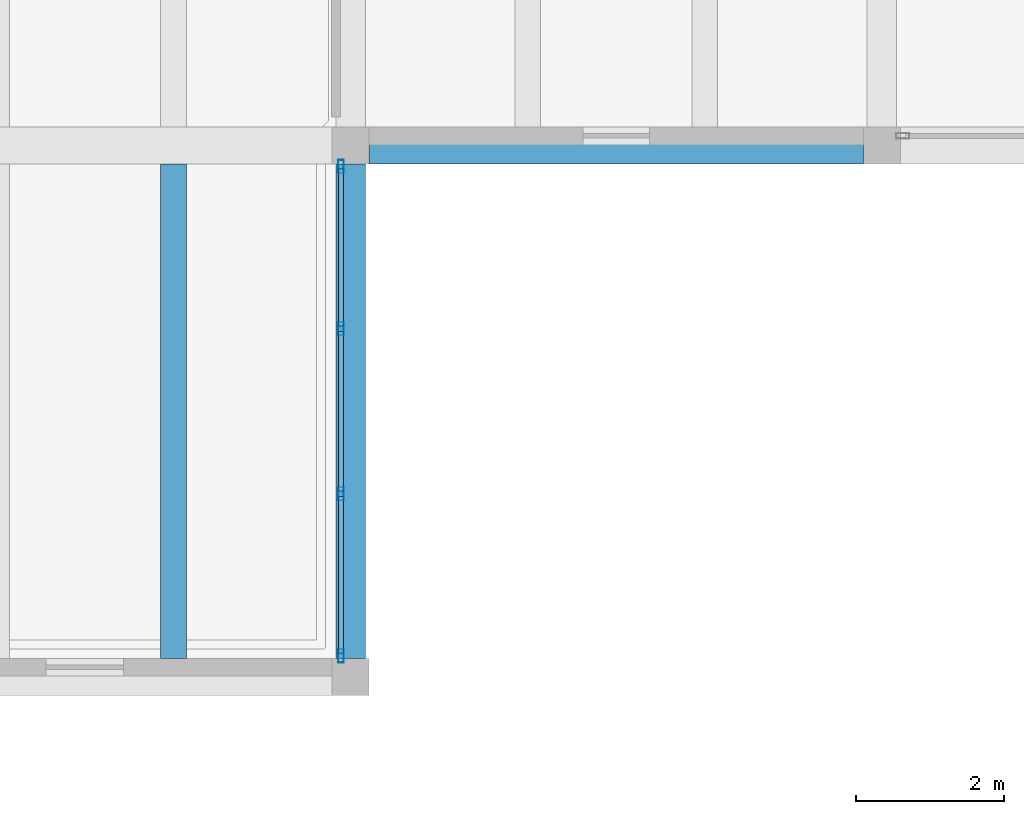
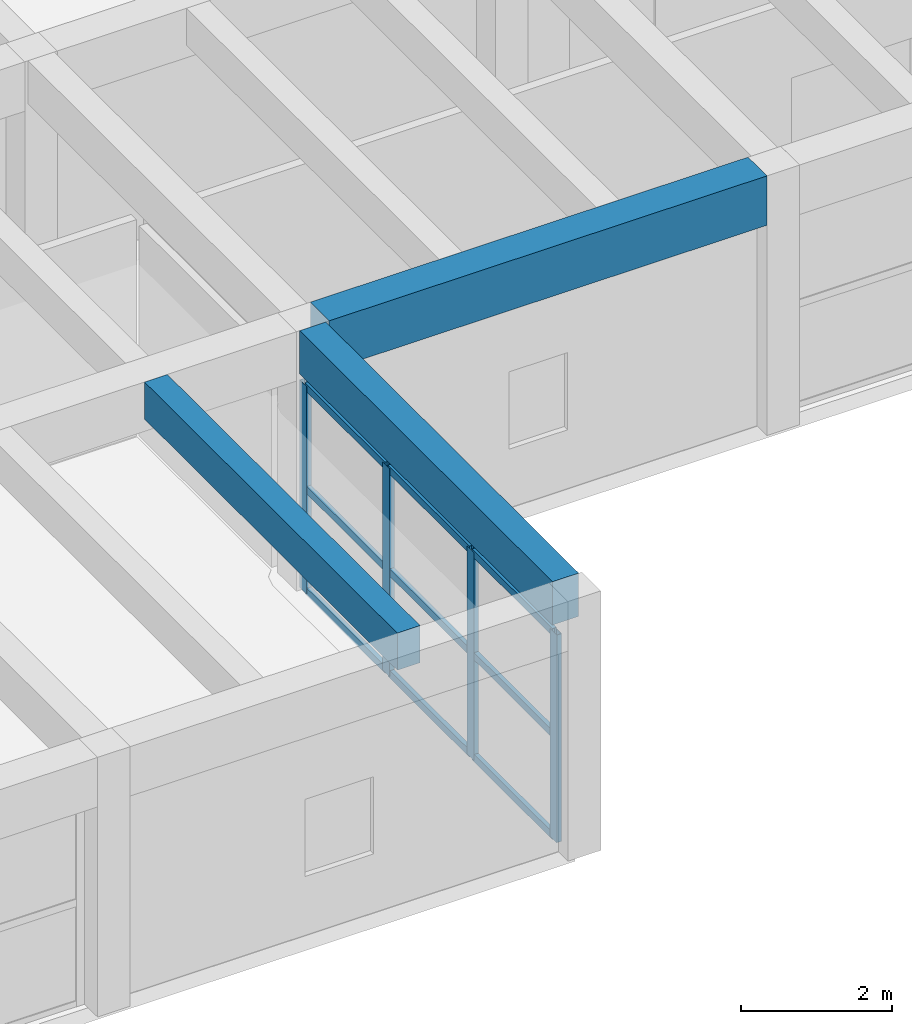
# One storey, part 50 of 153: 13 members, 3 beams, 1 element without a shape of its own.
"""IFC4 building model written with IfcOpenShell, lengths in metres."""

from ifc_helpers import new_model, si_unit, direction, frame, origin, origin_2d, place, context, subcontext, project, spatial, rectangle, hollow_rectangle, extrude, material, material_profile, profile_set, type_object, element, aggregate, save


model = new_model("IFC4")

# Units and contexts
model_context = context("Model", 3, precision=1e-05, world=origin(), true_north=direction((0.0, 1.0)))
body_context = subcontext(model_context, "Body", "Model", "MODEL_VIEW")
ifc_project = project(units=[si_unit("LENGTHUNIT", "METRE"), si_unit("AREAUNIT", "SQUARE_METRE"), si_unit("VOLUMEUNIT", "CUBIC_METRE"), si_unit("PLANEANGLEUNIT", "RADIAN"), si_unit("MASSUNIT", "GRAM", prefix="KILO")], contexts=[model_context])

# Site, building, storey
site_placement = place(None, origin())
site = spatial("IfcSite", under=ifc_project, at=site_placement, CompositionType="ELEMENT")
building_placement = place(site_placement, origin())
building = spatial("IfcBuilding", under=site, at=building_placement, Name="Bramvelor Terrace Health Centre", CompositionType="ELEMENT")
storey_placement = place(building_placement, frame((0.0, 0.0, 4.800048828125)))
storey = spatial("IfcBuildingStorey", under=building, at=storey_placement, Name="L02", CompositionType="ELEMENT", Elevation=4.800048828125)

# Beams
ifc_material_1 = material(Name="Concrete C40/50", Category="concrete")
ifc_material_profile_1 = material_profile(ifc_material_1, rectangle(XDim=0.39990234375, YDim=0.699951171875, at=origin_2d()), Name="RC 400x700")
ifc_profile_set_1 = profile_set([ifc_material_profile_1], Name="Concrete C40/50")
beam_type_1 = type_object("IfcBeamType", Name="BM-RC-G700", PredefinedType="BEAM", material=ifc_profile_set_1)
beam_1_placement = place(storey_placement, frame((115.199951171875, 43.449951171875, 3.849853515625), z_axis=(0.0, 1.0, 0.0), x_axis=(-1.0, 0.0, 0.0)))
element("IfcBeam", 1, at=beam_1_placement, inside=storey, type_object=beam_type_1, Name="L02 Floor Girder", PredefinedType="BEAM", context=body_context, shape_type="SweptSolid", body=[
    extrude(rectangle(XDim=0.39990234375, YDim=0.699951171875, at=origin_2d()), origin(), (0.0, 0.0, 1.0), 6.699951171875),
])
ifc_material_2 = material(Name="Concrete C40/50", Category="concrete")
ifc_material_profile_2 = material_profile(ifc_material_2, rectangle(XDim=0.5, YDim=0.800048828125, at=origin_2d()), Name="RC 500x800")
ifc_profile_set_2 = profile_set([ifc_material_profile_2], Name="Concrete C40/50")
beam_type_2 = type_object("IfcBeamType", Name="BM-RC-G800", PredefinedType="BEAM", material=ifc_profile_set_2)
beam_2_placement = place(storey_placement, frame((115.449951171875, 50.39990234375, 3.800048828125), z_axis=(1.0, 0.0, 0.0), x_axis=(0.0, 1.0, 0.0)))
element("IfcBeam", 2, at=beam_2_placement, inside=storey, type_object=beam_type_2, Name="L02 Floor Girder", PredefinedType="BEAM", context=body_context, shape_type="SweptSolid", body=[
    extrude(rectangle(XDim=0.5, YDim=0.800048828125, at=origin_2d()), origin(), (0.0, 0.0, 1.0), 6.699951171875),
])
ifc_material_3 = material(Name="Concrete C40/50", Category="concrete")
ifc_material_profile_3 = material_profile(ifc_material_3, rectangle(XDim=0.35009765625, YDim=0.60009765625, at=origin_2d()), Name="RC 350x600")
ifc_profile_set_3 = profile_set([ifc_material_profile_3], Name="Concrete C40/50")
beam_type_3 = type_object("IfcBeamType", Name="BM-RC-J600", PredefinedType="JOIST", material=ifc_profile_set_3)
beam_3_placement = place(storey_placement, frame((112.800048828125, 43.449951171875, 3.89990234375), z_axis=(0.0, 1.0, 0.0), x_axis=(-1.0, 0.0, 0.0)))
element("IfcBeam", 3, at=beam_3_placement, inside=storey, type_object=beam_type_3, Name="L02 Secondary Floor Joist", PredefinedType="JOIST", context=body_context, shape_type="SweptSolid", body=[
    extrude(rectangle(XDim=0.35009765625, YDim=0.60009765625, at=origin_2d()), origin(), (0.0, 0.0, 1.0), 6.699951171875),
])

# Curtain wall, members
ifc_material_4 = material(Name="Anodized aluminium and double low-E glass", Category="aluminium")
curtain_wall_type = type_object("IfcCurtainWallType", Name="CW-SYS-16", PredefinedType="NOTDEFINED", material=ifc_material_4)
curtain_wall_placement = place(storey_placement, origin())
curtain_wall = element("IfcCurtainWall", 4, at=curtain_wall_placement, inside=storey, type_object=curtain_wall_type, Name="L02 Unitized Curtain Wall 111", PredefinedType="NOTDEFINED")
ifc_material_5 = material(Name="Anodized aluminium 6063-T6", Category="aluminium")
ifc_material_profile_4 = material_profile(ifc_material_5, hollow_rectangle(XDim=0.074951171875, YDim=0.179931640625, WallThickness=0.00341796875, at=origin_2d()), Name="ALU-MUL 75x180x3.5")
ifc_profile_set_4 = profile_set([ifc_material_profile_4], Name="Anodized aluminium 6063-T6")
member_type_1 = type_object("IfcMemberType", Name="CW-MUL-65x180", PredefinedType="MULLION", material=ifc_profile_set_4)
member_1_placement = place(storey_placement, frame((115.070068359375, 50.117431640625, 0.0), z_axis=(0.0, 0.0, 1.0), x_axis=(1.0, 0.0, 0.0)))
member_1 = element("IfcMember", 5, at=member_1_placement, type_object=member_type_1, Name="CW-16 mullion 1", PredefinedType="MULLION", context=body_context, shape_type="SweptSolid", body=[
    extrude(hollow_rectangle(XDim=0.074951171875, YDim=0.179931640625, WallThickness=0.00341796875, at=origin_2d()), origin(), (0.0, 0.0, 1.0), 3.35986328125),
])
member_2_placement = place(storey_placement, frame((115.070068359375, 47.918212890625, 0.0), z_axis=(0.0, 0.0, 1.0), x_axis=(1.0, 0.0, 0.0)))
member_2 = element("IfcMember", 6, at=member_2_placement, type_object=member_type_1, Name="CW-16 mullion 2", PredefinedType="MULLION", context=body_context, shape_type="SweptSolid", body=[
    extrude(hollow_rectangle(XDim=0.074951171875, YDim=0.179931640625, WallThickness=0.00341796875, at=origin_2d()), origin(), (0.0, 0.0, 1.0), 3.35986328125),
])
member_3_placement = place(storey_placement, frame((115.070068359375, 45.681640625, 0.0), z_axis=(0.0, 0.0, 1.0), x_axis=(1.0, 0.0, 0.0)))
member_3 = element("IfcMember", 7, at=member_3_placement, type_object=member_type_1, Name="CW-16 mullion 3", PredefinedType="MULLION", context=body_context, shape_type="SweptSolid", body=[
    extrude(hollow_rectangle(XDim=0.074951171875, YDim=0.179931640625, WallThickness=0.00341796875, at=origin_2d()), origin(), (0.0, 0.0, 1.0), 3.35986328125),
])
member_4_placement = place(storey_placement, frame((115.070068359375, 43.482421875, 0.0), z_axis=(0.0, 0.0, 1.0), x_axis=(1.0, 0.0, 0.0)))
member_4 = element("IfcMember", 8, at=member_4_placement, type_object=member_type_1, Name="CW-16 mullion 4", PredefinedType="MULLION", context=body_context, shape_type="SweptSolid", body=[
    extrude(hollow_rectangle(XDim=0.074951171875, YDim=0.179931640625, WallThickness=0.00341796875, at=origin_2d()), origin(), (0.0, 0.0, 1.0), 3.35986328125),
])
ifc_material_6 = material(Name="Anodized aluminium 6063-T6", Category="aluminium")
ifc_material_profile_5 = material_profile(ifc_material_6, hollow_rectangle(XDim=0.06494140625, YDim=0.1201171875, WallThickness=0.0029296875, at=origin_2d()), Name="ALU-TRN 65x120x3.0")
ifc_profile_set_5 = profile_set([ifc_material_profile_5], Name="Anodized aluminium 6063-T6")
member_type_2 = type_object("IfcMemberType", Name="CW-TRN-65x150", PredefinedType="USERDEFINED", material=ifc_profile_set_5)
member_5_placement = place(storey_placement, frame((115.070068359375, 50.080078125, 0.032470703125), z_axis=(0.0, -1.0, 0.0), x_axis=(1.0, 0.0, 0.0)))
member_5 = element("IfcMember", 9, at=member_5_placement, type_object=member_type_2, Name="CW-16 transom 1.1", ObjectType="TRANSOM", PredefinedType="USERDEFINED", context=body_context, shape_type="SweptSolid", body=[
    extrude(hollow_rectangle(XDim=0.06494140625, YDim=0.1201171875, WallThickness=0.0029296875, at=origin_2d()), origin(), (0.0, 0.0, 1.0), 2.124267578125),
])
member_6_placement = place(storey_placement, frame((115.070068359375, 50.080078125, 1.679931640625), z_axis=(0.0, -1.0, 0.0), x_axis=(1.0, 0.0, 0.0)))
member_6 = element("IfcMember", 10, at=member_6_placement, type_object=member_type_2, Name="CW-16 transom 1.2", ObjectType="TRANSOM", PredefinedType="USERDEFINED", context=body_context, shape_type="SweptSolid", body=[
    extrude(hollow_rectangle(XDim=0.06494140625, YDim=0.1201171875, WallThickness=0.0029296875, at=origin_2d()), origin(), (0.0, 0.0, 1.0), 2.124267578125),
])
member_7_placement = place(storey_placement, frame((115.070068359375, 50.080078125, 3.327392578125), z_axis=(0.0, -1.0, 0.0), x_axis=(1.0, 0.0, 0.0)))
member_7 = element("IfcMember", 11, at=member_7_placement, type_object=member_type_2, Name="CW-16 transom 1.3", ObjectType="TRANSOM", PredefinedType="USERDEFINED", context=body_context, shape_type="SweptSolid", body=[
    extrude(hollow_rectangle(XDim=0.06494140625, YDim=0.1201171875, WallThickness=0.0029296875, at=origin_2d()), origin(), (0.0, 0.0, 1.0), 2.124267578125),
])
member_8_placement = place(storey_placement, frame((115.070068359375, 47.880859375, 0.032470703125), z_axis=(0.0, -1.0, 0.0), x_axis=(1.0, 0.0, 0.0)))
member_8 = element("IfcMember", 12, at=member_8_placement, type_object=member_type_2, Name="CW-16 transom 2.1", ObjectType="TRANSOM", PredefinedType="USERDEFINED", context=body_context, shape_type="SweptSolid", body=[
    extrude(hollow_rectangle(XDim=0.06494140625, YDim=0.1201171875, WallThickness=0.0029296875, at=origin_2d()), origin(), (0.0, 0.0, 1.0), 2.16162109375),
])
member_9_placement = place(storey_placement, frame((115.070068359375, 47.880859375, 1.679931640625), z_axis=(0.0, -1.0, 0.0), x_axis=(1.0, 0.0, 0.0)))
member_9 = element("IfcMember", 13, at=member_9_placement, type_object=member_type_2, Name="CW-16 transom 2.2", ObjectType="TRANSOM", PredefinedType="USERDEFINED", context=body_context, shape_type="SweptSolid", body=[
    extrude(hollow_rectangle(XDim=0.06494140625, YDim=0.1201171875, WallThickness=0.0029296875, at=origin_2d()), origin(), (0.0, 0.0, 1.0), 2.16162109375),
])
member_10_placement = place(storey_placement, frame((115.070068359375, 47.880859375, 3.327392578125), z_axis=(0.0, -1.0, 0.0), x_axis=(1.0, 0.0, 0.0)))
member_10 = element("IfcMember", 14, at=member_10_placement, type_object=member_type_2, Name="CW-16 transom 2.3", ObjectType="TRANSOM", PredefinedType="USERDEFINED", context=body_context, shape_type="SweptSolid", body=[
    extrude(hollow_rectangle(XDim=0.06494140625, YDim=0.1201171875, WallThickness=0.0029296875, at=origin_2d()), origin(), (0.0, 0.0, 1.0), 2.16162109375),
])
member_11_placement = place(storey_placement, frame((115.070068359375, 45.644287109375, 0.032470703125), z_axis=(0.0, -1.0, 0.0), x_axis=(1.0, 0.0, 0.0)))
member_11 = element("IfcMember", 15, at=member_11_placement, type_object=member_type_2, Name="CW-16 transom 3.1", ObjectType="TRANSOM", PredefinedType="USERDEFINED", context=body_context, shape_type="SweptSolid", body=[
    extrude(hollow_rectangle(XDim=0.06494140625, YDim=0.1201171875, WallThickness=0.0029296875, at=origin_2d()), origin(), (0.0, 0.0, 1.0), 2.124267578125),
])
member_12_placement = place(storey_placement, frame((115.070068359375, 45.644287109375, 1.679931640625), z_axis=(0.0, -1.0, 0.0), x_axis=(1.0, 0.0, 0.0)))
member_12 = element("IfcMember", 16, at=member_12_placement, type_object=member_type_2, Name="CW-16 transom 3.2", ObjectType="TRANSOM", PredefinedType="USERDEFINED", context=body_context, shape_type="SweptSolid", body=[
    extrude(hollow_rectangle(XDim=0.06494140625, YDim=0.1201171875, WallThickness=0.0029296875, at=origin_2d()), origin(), (0.0, 0.0, 1.0), 2.124267578125),
])
member_13_placement = place(storey_placement, frame((115.070068359375, 45.644287109375, 3.327392578125), z_axis=(0.0, -1.0, 0.0), x_axis=(1.0, 0.0, 0.0)))
member_13 = element("IfcMember", 17, at=member_13_placement, type_object=member_type_2, Name="CW-16 transom 3.3", ObjectType="TRANSOM", PredefinedType="USERDEFINED", context=body_context, shape_type="SweptSolid", body=[
    extrude(hollow_rectangle(XDim=0.06494140625, YDim=0.1201171875, WallThickness=0.0029296875, at=origin_2d()), origin(), (0.0, 0.0, 1.0), 2.124267578125),
])
aggregate(curtain_wall, [member_1, member_2, member_3, member_4, member_5, member_6, member_7, member_8, member_9, member_10, member_11, member_12, member_13])

save(model, "model.ifc")
